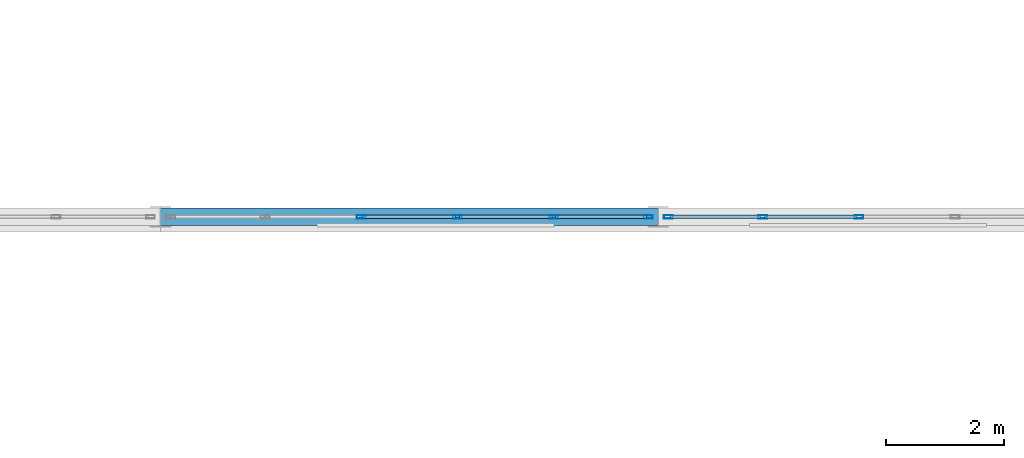
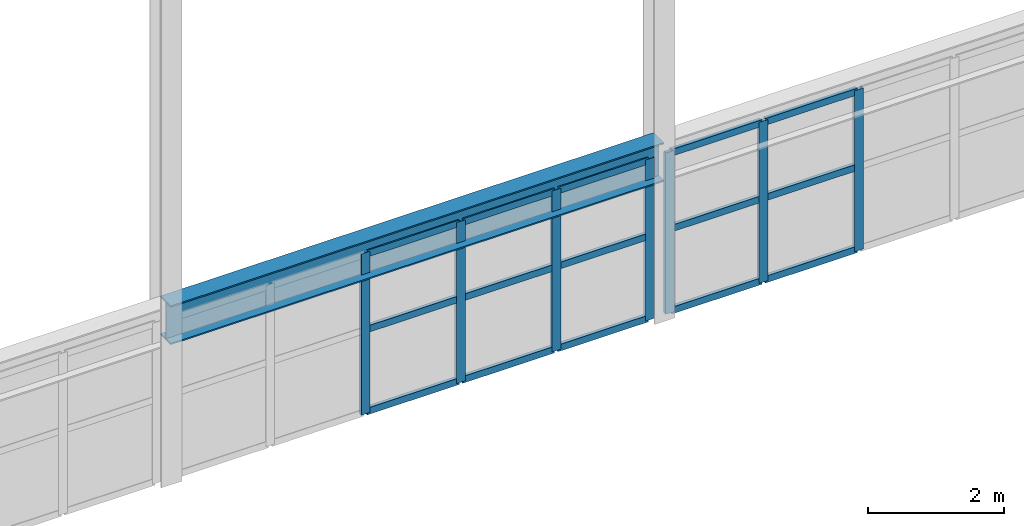
# One storey, part 78 of 218: 22 members, 1 beam, 2 elements without a shape of their own.
"""IFC4 building model written with IfcOpenShell, lengths in metres."""

import ifcopenshell
import ifcopenshell.guid

model = None  # the IFC model being written
_history = None  # IfcOwnerHistory: only IFC2X3 demands one
_inside = {}  # id of a spatial element -> (the spatial element, [elements in it])
_under = {}  # id of a project, library or spatial element -> (it, [spatial elements below it])
_declared = {}  # id of a project -> (the project, [libraries it declares])
_typed = {}  # id of a type object -> (the type object, [elements of that type])
_made_of = {}  # id of a material, layer set ... -> (it, [elements and type objects made of it])


def new_model(schema):
    """Start an empty IFC model of exactly this schema.

    Asked for "IFC4X3", IfcOpenShell would pick the latest addendum, in which some entities
    have other attributes; the version numbers below select the first issue.
    IFC2X3 requires an IfcOwnerHistory on every rooted entity: one is made here for all.
    """
    global model, _history
    if schema == "IFC4X3":
        model = ifcopenshell.file(schema_version=(4, 3, 0, 0))
    else:
        model = ifcopenshell.file(schema=schema)
    _inside.clear()
    _under.clear()
    _declared.clear()
    _typed.clear()
    _made_of.clear()
    _history = None
    if model.schema == "IFC2X3":
        org = make("IfcOrganization", Name="unknown")
        user = make(
            "IfcPersonAndOrganization",
            ThePerson=make("IfcPerson", FamilyName="unknown"),
            TheOrganization=org,
        )
        app = make(
            "IfcApplication",
            ApplicationDeveloper=org,
            Version="unknown",
            ApplicationFullName="unknown",
            ApplicationIdentifier="unknown",
        )
        _history = make(
            "IfcOwnerHistory",
            OwningUser=user,
            OwningApplication=app,
            ChangeAction="ADDED",
            CreationDate=0,
        )
    return model


def make(cls, **values):
    """One entity of the class cls with the attributes given. An attribute that is None is left unset."""
    return model.create_entity(
        cls, **{name: value for name, value in values.items() if value is not None}
    )


def rooted(cls, **values):
    """An entity with a GlobalId (a new one), such as an element, a storey or a relation."""
    return make(cls, GlobalId=ifcopenshell.guid.new(), OwnerHistory=_history, **values)


def si_unit(unit_type, name, prefix=None):
    """IfcSIUnit, for example si_unit("LENGTHUNIT", "METRE", prefix="MILLI")."""
    return make("IfcSIUnit", UnitType=unit_type, Prefix=prefix, Name=name)


def assignment(units):
    """IfcUnitAssignment: the units of a project."""
    return None if units is None else make("IfcUnitAssignment", Units=units)


def point(xyz):
    """IfcCartesianPoint."""
    return None if xyz is None else make("IfcCartesianPoint", Coordinates=xyz)


def direction(xyz):
    """IfcDirection."""
    return None if xyz is None else make("IfcDirection", DirectionRatios=xyz)


def frame(location, z_axis=None, x_axis=None):
    """IfcAxis2Placement3D, a coordinate frame: its origin and axes. An axis left out is left unset."""
    return make(
        "IfcAxis2Placement3D",
        Location=point(location),
        Axis=direction(z_axis),
        RefDirection=direction(x_axis),
    )


def frame_2d(location, x_axis=None):
    """IfcAxis2Placement2D, a coordinate frame in the plane: its origin and x axis."""
    return make(
        "IfcAxis2Placement2D", Location=point(location), RefDirection=direction(x_axis)
    )


def origin():
    """The frame at (0, 0, 0) with its axes left unset."""
    return frame((0.0, 0.0, 0.0))


def origin_2d():
    """The frame at (0, 0) in the plane with its x axis left unset."""
    return frame_2d((0.0, 0.0))


def place(relative_to, where):
    """IfcLocalPlacement: puts the frame where relative to a parent placement (None: the world)."""
    return make(
        "IfcLocalPlacement", PlacementRelTo=relative_to, RelativePlacement=where
    )


def context(
    kind, dimensions, precision=None, world=None, true_north=None, identifier=None
):
    """IfcGeometricRepresentationContext, for example the 3D "Model" context."""
    return make(
        "IfcGeometricRepresentationContext",
        ContextIdentifier=identifier,
        ContextType=kind,
        CoordinateSpaceDimension=dimensions,
        Precision=precision,
        WorldCoordinateSystem=world,
        TrueNorth=true_north,
    )


def subcontext(parent, identifier, kind, view, scale=None):
    """IfcGeometricRepresentationSubContext, for example "Body" below "Model"."""
    return make(
        "IfcGeometricRepresentationSubContext",
        ContextIdentifier=identifier,
        ContextType=kind,
        ParentContext=parent,
        TargetScale=scale,
        TargetView=view,
    )


def project(units=None, contexts=None):
    """IfcProject with its units and contexts."""
    return rooted(
        "IfcProject",
        Name="project",
        RepresentationContexts=contexts,
        UnitsInContext=assignment(units),
    )


def spatial(cls, under=None, at=None, **own):
    """A site, building, storey or space (cls), placed at a placement, below another one or the project."""
    s = rooted(cls, ObjectPlacement=at, **own)
    if under is not None:
        _under.setdefault(under.id(), (under, []))[1].append(s)
    return s


def profile(cls, at=None, kind="AREA", **sizes):
    """A parametric profile (cls). Its sizes go by their IFC names, for example OverallWidth=200.0."""
    return make(cls, ProfileType=kind, Position=at, **sizes)


def hollow_rectangle(**sizes):
    """IfcRectangleHollowProfileDef."""
    return profile("IfcRectangleHollowProfileDef", **sizes)


def i_section(**sizes):
    """IfcIShapeProfileDef."""
    return profile("IfcIShapeProfileDef", **sizes)


def extrude(swept, where, along, depth):
    """IfcExtrudedAreaSolid: the profile swept, set in the frame where, extruded along a direction by depth."""
    return make(
        "IfcExtrudedAreaSolid",
        SweptArea=swept,
        Position=where,
        ExtrudedDirection=direction(along),
        Depth=depth,
    )


def shape(context_of_items, identifier, shape_type, items):
    """IfcShapeRepresentation: the items that make up one representation, for example the "Body"."""
    return make(
        "IfcShapeRepresentation",
        ContextOfItems=context_of_items,
        RepresentationIdentifier=identifier,
        RepresentationType=shape_type,
        Items=items,
    )


def material(Name=None, Category=None):
    """IfcMaterial."""
    return make("IfcMaterial", Name=Name, Category=Category)


def material_profile(
    of_material, cross_section, Name=None, Category=None, Priority=None
):
    """IfcMaterialProfile: a cross section and its material."""
    return make(
        "IfcMaterialProfile",
        Name=Name,
        Material=of_material,
        Profile=cross_section,
        Priority=Priority,
        Category=Category,
    )


def profile_set(profiles, Name=None, composite=None):
    """IfcMaterialProfileSet."""
    return make(
        "IfcMaterialProfileSet",
        Name=Name,
        MaterialProfiles=profiles,
        CompositeProfile=composite,
    )


def made_of(thing, what):
    """Note that an element or type object is made of a material, layer set ...; save() writes the relation."""
    if what is not None:
        _made_of.setdefault(what.id(), (what, []))[1].append(thing)
    return thing


def type_object(cls, material=None, **own):
    """A type object (cls), such as IfcWallType, which elements share."""
    return made_of(rooted(cls, **own), material)


def element(
    cls,
    number,
    at=None,
    inside=None,
    cuts=None,
    type_object=None,
    material=None,
    context=None,
    identifier="Body",
    shape_type=None,
    held_by="IfcProductDefinitionShape",
    body=None,
    shapes=None,
    **own,
):
    """One element of the class cls, such as IfcWall. Its Tag is "e" and its number.

    at: its placement. inside: the storey or other place that contains it. cuts: it is an
    opening in that element (IfcRelVoidsElement). A single representation is given by context,
    identifier, shape_type and body (its items); several are given by shapes. held_by: the class
    of the entity that holds the representations. save() writes the other relations.
    """
    e = rooted(cls, Tag="e%d" % number, ObjectPlacement=at, **own)
    if body is not None:
        shapes = [shape(context, identifier, shape_type, body)]
    if shapes is not None:
        e.Representation = make(held_by, Representations=shapes)
    if inside is not None:
        _inside.setdefault(inside.id(), (inside, []))[1].append(e)
    if cuts is not None:
        rooted(
            "IfcRelVoidsElement", RelatingBuildingElement=cuts, RelatedOpeningElement=e
        )
    if type_object is not None:
        _typed.setdefault(type_object.id(), (type_object, []))[1].append(e)
    return made_of(e, material)


def aggregate(whole, parts):
    """IfcRelAggregates: a whole, such as a stair, and the parts it consists of."""
    return rooted("IfcRelAggregates", RelatingObject=whole, RelatedObjects=parts)


def save(model, path):
    """Write the relations noted so far, then the file.

    IfcRelAggregates (storeys below a building ...), IfcRelContainedInSpatialStructure (elements
    in a storey), IfcRelDefinesByType, IfcRelAssociatesMaterial and IfcRelDeclares: one each for
    every whole, place, type object, material and project.
    """
    for whole, parts in _under.values():
        aggregate(whole, parts)
    for where, things in _inside.values():
        rooted(
            "IfcRelContainedInSpatialStructure",
            RelatedElements=things,
            RelatingStructure=where,
        )
    for kind, things in _typed.values():
        rooted("IfcRelDefinesByType", RelatedObjects=things, RelatingType=kind)
    for what, things in _made_of.values():
        rooted("IfcRelAssociatesMaterial", RelatedObjects=things, RelatingMaterial=what)
    for by, libraries in _declared.values():
        rooted("IfcRelDeclares", RelatingContext=by, RelatedDefinitions=libraries)
    model.write(path)


model = new_model("IFC4")

# Units and contexts
model_context = context("Model", 3, precision=1e-05, world=origin(), true_north=direction((0.0, 1.0)))
body_context = subcontext(model_context, "Body", "Model", "MODEL_VIEW")
ifc_project = project(units=[si_unit("LENGTHUNIT", "METRE"), si_unit("AREAUNIT", "SQUARE_METRE"), si_unit("VOLUMEUNIT", "CUBIC_METRE"), si_unit("PLANEANGLEUNIT", "RADIAN"), si_unit("MASSUNIT", "GRAM", prefix="KILO")], contexts=[model_context])

# Site, building, storey
site_placement = place(None, origin())
site = spatial("IfcSite", under=ifc_project, at=site_placement, CompositionType="ELEMENT")
building_placement = place(site_placement, origin())
building = spatial("IfcBuilding", under=site, at=building_placement, Name="Kazenagashi Tramway Depot", CompositionType="ELEMENT")
storey_placement = place(building_placement, frame((0.0, 0.0, 6.0)))
storey = spatial("IfcBuildingStorey", under=building, at=storey_placement, Name="L02", CompositionType="ELEMENT", Elevation=6.0)

# Beam
ifc_material_1 = material(Name="Steel SN490B", Category="steel")
ifc_material_profile_1 = material_profile(ifc_material_1, i_section(OverallWidth=0.3, OverallDepth=0.7, WebThickness=0.013, FlangeThickness=0.024, at=origin_2d()), Name="H-700x300x13x24")
ifc_profile_set_1 = profile_set([ifc_material_profile_1], Name="Steel SN490B")
beam_type = type_object("IfcBeamType", Name="G-02", PredefinedType="BEAM", material=ifc_profile_set_1)
beam_placement = place(storey_placement, frame((61.6, 54.9, 2.85), z_axis=(1.0, 0.0, 0.0), x_axis=(0.0, 1.0, 0.0)))
element("IfcBeam", 1, at=beam_placement, inside=storey, type_object=beam_type, Name="Beam G-02 BM-1175", PredefinedType="BEAM", context=body_context, shape_type="SweptSolid", body=[
    extrude(i_section(OverallWidth=0.3, OverallDepth=0.7, WebThickness=0.013, FlangeThickness=0.024, at=origin_2d()), origin(), (0.0, 0.0, 1.0), 8.4),
])

# Curtain wall, members
ifc_material_2 = material(Name="Anodised Aluminium and Low-E Glazing", Category="aluminium")
curtain_wall_type = type_object("IfcCurtainWallType", Name="CW-21", PredefinedType="USERDEFINED", material=ifc_material_2)
curtain_wall_1_placement = place(storey_placement, origin())
curtain_wall_1 = element("IfcCurtainWall", 2, at=curtain_wall_1_placement, inside=storey, type_object=curtain_wall_type, Name="Industrial Glazed Screen CW-21 CW-0109", ObjectType="GLAZED SCREEN", PredefinedType="USERDEFINED")
ifc_material_3 = material(Name="Anodised Aluminium", Category="aluminium")
ifc_material_profile_2 = material_profile(ifc_material_3, hollow_rectangle(XDim=0.06, YDim=0.15, WallThickness=0.004, at=origin_2d()), Name="RHS-150x60x4")
ifc_profile_set_2 = profile_set([ifc_material_profile_2], Name="Anodised Aluminium")
member_type_1 = type_object("IfcMemberType", Name="ML-01", PredefinedType="MULLION", material=ifc_profile_set_2)
member_1_placement = place(storey_placement, frame((64.988, 54.9, 0.0), z_axis=(0.0, 0.0, 1.0), x_axis=(0.0, 1.0, 0.0)))
member_1 = element("IfcMember", 3, at=member_1_placement, type_object=member_type_1, Name="CW-21 mullion 3", PredefinedType="MULLION", context=body_context, shape_type="SweptSolid", body=[
    extrude(hollow_rectangle(XDim=0.06, YDim=0.15, WallThickness=0.004, at=origin_2d()), origin(), (0.0, 0.0, 1.0), 2.9),
])
member_2_placement = place(storey_placement, frame((66.612, 54.9, 0.0), z_axis=(0.0, 0.0, 1.0), x_axis=(0.0, 1.0, 0.0)))
member_2 = element("IfcMember", 4, at=member_2_placement, type_object=member_type_1, Name="CW-21 mullion 4", PredefinedType="MULLION", context=body_context, shape_type="SweptSolid", body=[
    extrude(hollow_rectangle(XDim=0.06, YDim=0.15, WallThickness=0.004, at=origin_2d()), origin(), (0.0, 0.0, 1.0), 2.9),
])
member_3_placement = place(storey_placement, frame((68.236, 54.9, 0.0), z_axis=(0.0, 0.0, 1.0), x_axis=(0.0, 1.0, 0.0)))
member_3 = element("IfcMember", 5, at=member_3_placement, type_object=member_type_1, Name="CW-21 mullion 5", PredefinedType="MULLION", context=body_context, shape_type="SweptSolid", body=[
    extrude(hollow_rectangle(XDim=0.06, YDim=0.15, WallThickness=0.004, at=origin_2d()), origin(), (0.0, 0.0, 1.0), 2.9),
])
member_4_placement = place(storey_placement, frame((69.83, 54.9, 0.0), z_axis=(0.0, 0.0, 1.0), x_axis=(0.0, 1.0, 0.0)))
member_4 = element("IfcMember", 6, at=member_4_placement, type_object=member_type_1, Name="CW-21 mullion 6", PredefinedType="MULLION", context=body_context, shape_type="SweptSolid", body=[
    extrude(hollow_rectangle(XDim=0.06, YDim=0.15, WallThickness=0.004, at=origin_2d()), origin(), (0.0, 0.0, 1.0), 2.9),
])

curtain_wall_2_placement = place(storey_placement, origin())
curtain_wall_2 = element("IfcCurtainWall", 7, at=curtain_wall_2_placement, inside=storey, type_object=curtain_wall_type, Name="Industrial Glazed Screen CW-21 CW-0110", ObjectType="GLAZED SCREEN", PredefinedType="USERDEFINED")
member_5_placement = place(storey_placement, frame((70.17, 54.9, 0.0), z_axis=(0.0, 0.0, 1.0), x_axis=(0.0, 1.0, 0.0)))
member_5 = element("IfcMember", 8, at=member_5_placement, type_object=member_type_1, Name="CW-21 mullion 1", PredefinedType="MULLION", context=body_context, shape_type="SweptSolid", body=[
    extrude(hollow_rectangle(XDim=0.06, YDim=0.15, WallThickness=0.004, at=origin_2d()), origin(), (0.0, 0.0, 1.0), 2.9),
])
member_6_placement = place(storey_placement, frame((71.764, 54.9, 0.0), z_axis=(0.0, 0.0, 1.0), x_axis=(0.0, 1.0, 0.0)))
member_6 = element("IfcMember", 9, at=member_6_placement, type_object=member_type_1, Name="CW-21 mullion 2", PredefinedType="MULLION", context=body_context, shape_type="SweptSolid", body=[
    extrude(hollow_rectangle(XDim=0.06, YDim=0.15, WallThickness=0.004, at=origin_2d()), origin(), (0.0, 0.0, 1.0), 2.9),
])
member_7_placement = place(storey_placement, frame((73.388, 54.9, 0.0), z_axis=(0.0, 0.0, 1.0), x_axis=(0.0, 1.0, 0.0)))
member_7 = element("IfcMember", 10, at=member_7_placement, type_object=member_type_1, Name="CW-21 mullion 3", PredefinedType="MULLION", context=body_context, shape_type="SweptSolid", body=[
    extrude(hollow_rectangle(XDim=0.06, YDim=0.15, WallThickness=0.004, at=origin_2d()), origin(), (0.0, 0.0, 1.0), 2.9),
])

# Member
ifc_material_profile_3 = material_profile(ifc_material_3, hollow_rectangle(XDim=0.06, YDim=0.12, WallThickness=0.004, at=origin_2d()), Name="RHS-120x60x4")
ifc_profile_set_3 = profile_set([ifc_material_profile_3], Name="Anodised Aluminium")
member_type_2 = type_object("IfcMemberType", Name="TR-01", PredefinedType="USERDEFINED", material=ifc_profile_set_3)
member_8_placement = place(storey_placement, frame((65.018, 54.9, 0.03), z_axis=(1.0, 0.0, 0.0), x_axis=(0.0, 1.0, 0.0)))
member_8 = element("IfcMember", 11, at=member_8_placement, type_object=member_type_2, Name="CW-21 transom 3.1", ObjectType="TRANSOM", PredefinedType="USERDEFINED", context=body_context, shape_type="SweptSolid", body=[
    extrude(hollow_rectangle(XDim=0.06, YDim=0.12, WallThickness=0.004, at=origin_2d()), origin(), (0.0, 0.0, 1.0), 1.564),
])

member_9_placement = place(storey_placement, frame((65.018, 54.9, 1.508), z_axis=(1.0, 0.0, 0.0), x_axis=(0.0, 1.0, 0.0)))
member_9 = element("IfcMember", 12, at=member_9_placement, type_object=member_type_2, Name="CW-21 transom 3.2", ObjectType="TRANSOM", PredefinedType="USERDEFINED", context=body_context, shape_type="SweptSolid", body=[
    extrude(hollow_rectangle(XDim=0.06, YDim=0.12, WallThickness=0.004, at=origin_2d()), origin(), (0.0, 0.0, 1.0), 1.564),
])

member_10_placement = place(storey_placement, frame((65.018, 54.9, 2.87), z_axis=(1.0, 0.0, 0.0), x_axis=(0.0, 1.0, 0.0)))
member_10 = element("IfcMember", 13, at=member_10_placement, type_object=member_type_2, Name="CW-21 transom 3.3", ObjectType="TRANSOM", PredefinedType="USERDEFINED", context=body_context, shape_type="SweptSolid", body=[
    extrude(hollow_rectangle(XDim=0.06, YDim=0.12, WallThickness=0.004, at=origin_2d()), origin(), (0.0, 0.0, 1.0), 1.564),
])

member_11_placement = place(storey_placement, frame((66.642, 54.9, 0.03), z_axis=(1.0, 0.0, 0.0), x_axis=(0.0, 1.0, 0.0)))
member_11 = element("IfcMember", 14, at=member_11_placement, type_object=member_type_2, Name="CW-21 transom 4.1", ObjectType="TRANSOM", PredefinedType="USERDEFINED", context=body_context, shape_type="SweptSolid", body=[
    extrude(hollow_rectangle(XDim=0.06, YDim=0.12, WallThickness=0.004, at=origin_2d()), origin(), (0.0, 0.0, 1.0), 1.564),
])

member_12_placement = place(storey_placement, frame((66.642, 54.9, 1.508), z_axis=(1.0, 0.0, 0.0), x_axis=(0.0, 1.0, 0.0)))
member_12 = element("IfcMember", 15, at=member_12_placement, type_object=member_type_2, Name="CW-21 transom 4.2", ObjectType="TRANSOM", PredefinedType="USERDEFINED", context=body_context, shape_type="SweptSolid", body=[
    extrude(hollow_rectangle(XDim=0.06, YDim=0.12, WallThickness=0.004, at=origin_2d()), origin(), (0.0, 0.0, 1.0), 1.564),
])

member_13_placement = place(storey_placement, frame((66.642, 54.9, 2.87), z_axis=(1.0, 0.0, 0.0), x_axis=(0.0, 1.0, 0.0)))
member_13 = element("IfcMember", 16, at=member_13_placement, type_object=member_type_2, Name="CW-21 transom 4.3", ObjectType="TRANSOM", PredefinedType="USERDEFINED", context=body_context, shape_type="SweptSolid", body=[
    extrude(hollow_rectangle(XDim=0.06, YDim=0.12, WallThickness=0.004, at=origin_2d()), origin(), (0.0, 0.0, 1.0), 1.564),
])

member_14_placement = place(storey_placement, frame((68.266, 54.9, 0.03), z_axis=(1.0, 0.0, 0.0), x_axis=(0.0, 1.0, 0.0)))
member_14 = element("IfcMember", 17, at=member_14_placement, type_object=member_type_2, Name="CW-21 transom 5.1", ObjectType="TRANSOM", PredefinedType="USERDEFINED", context=body_context, shape_type="SweptSolid", body=[
    extrude(hollow_rectangle(XDim=0.06, YDim=0.12, WallThickness=0.004, at=origin_2d()), origin(), (0.0, 0.0, 1.0), 1.534),
])

member_15_placement = place(storey_placement, frame((68.266, 54.9, 1.508), z_axis=(1.0, 0.0, 0.0), x_axis=(0.0, 1.0, 0.0)))
member_15 = element("IfcMember", 18, at=member_15_placement, type_object=member_type_2, Name="CW-21 transom 5.2", ObjectType="TRANSOM", PredefinedType="USERDEFINED", context=body_context, shape_type="SweptSolid", body=[
    extrude(hollow_rectangle(XDim=0.06, YDim=0.12, WallThickness=0.004, at=origin_2d()), origin(), (0.0, 0.0, 1.0), 1.534),
])

member_16_placement = place(storey_placement, frame((68.266, 54.9, 2.87), z_axis=(1.0, 0.0, 0.0), x_axis=(0.0, 1.0, 0.0)))
member_16 = element("IfcMember", 19, at=member_16_placement, type_object=member_type_2, Name="CW-21 transom 5.3", ObjectType="TRANSOM", PredefinedType="USERDEFINED", context=body_context, shape_type="SweptSolid", body=[
    extrude(hollow_rectangle(XDim=0.06, YDim=0.12, WallThickness=0.004, at=origin_2d()), origin(), (0.0, 0.0, 1.0), 1.534),
])

aggregate(curtain_wall_1, [member_1, member_2, member_3, member_4, member_8, member_9, member_10, member_11, member_12, member_13, member_14, member_15, member_16])

member_17_placement = place(storey_placement, frame((70.2, 54.9, 0.03), z_axis=(1.0, 0.0, 0.0), x_axis=(0.0, 1.0, 0.0)))
member_17 = element("IfcMember", 20, at=member_17_placement, type_object=member_type_2, Name="CW-21 transom 1.1", ObjectType="TRANSOM", PredefinedType="USERDEFINED", context=body_context, shape_type="SweptSolid", body=[
    extrude(hollow_rectangle(XDim=0.06, YDim=0.12, WallThickness=0.004, at=origin_2d()), origin(), (0.0, 0.0, 1.0), 1.534),
])

member_18_placement = place(storey_placement, frame((70.2, 54.9, 1.508), z_axis=(1.0, 0.0, 0.0), x_axis=(0.0, 1.0, 0.0)))
member_18 = element("IfcMember", 21, at=member_18_placement, type_object=member_type_2, Name="CW-21 transom 1.2", ObjectType="TRANSOM", PredefinedType="USERDEFINED", context=body_context, shape_type="SweptSolid", body=[
    extrude(hollow_rectangle(XDim=0.06, YDim=0.12, WallThickness=0.004, at=origin_2d()), origin(), (0.0, 0.0, 1.0), 1.534),
])

member_19_placement = place(storey_placement, frame((70.2, 54.9, 2.87), z_axis=(1.0, 0.0, 0.0), x_axis=(0.0, 1.0, 0.0)))
member_19 = element("IfcMember", 22, at=member_19_placement, type_object=member_type_2, Name="CW-21 transom 1.3", ObjectType="TRANSOM", PredefinedType="USERDEFINED", context=body_context, shape_type="SweptSolid", body=[
    extrude(hollow_rectangle(XDim=0.06, YDim=0.12, WallThickness=0.004, at=origin_2d()), origin(), (0.0, 0.0, 1.0), 1.534),
])

member_20_placement = place(storey_placement, frame((71.794, 54.9, 0.03), z_axis=(1.0, 0.0, 0.0), x_axis=(0.0, 1.0, 0.0)))
member_20 = element("IfcMember", 23, at=member_20_placement, type_object=member_type_2, Name="CW-21 transom 2.1", ObjectType="TRANSOM", PredefinedType="USERDEFINED", context=body_context, shape_type="SweptSolid", body=[
    extrude(hollow_rectangle(XDim=0.06, YDim=0.12, WallThickness=0.004, at=origin_2d()), origin(), (0.0, 0.0, 1.0), 1.564),
])

member_21_placement = place(storey_placement, frame((71.794, 54.9, 1.508), z_axis=(1.0, 0.0, 0.0), x_axis=(0.0, 1.0, 0.0)))
member_21 = element("IfcMember", 24, at=member_21_placement, type_object=member_type_2, Name="CW-21 transom 2.2", ObjectType="TRANSOM", PredefinedType="USERDEFINED", context=body_context, shape_type="SweptSolid", body=[
    extrude(hollow_rectangle(XDim=0.06, YDim=0.12, WallThickness=0.004, at=origin_2d()), origin(), (0.0, 0.0, 1.0), 1.564),
])

member_22_placement = place(storey_placement, frame((71.794, 54.9, 2.87), z_axis=(1.0, 0.0, 0.0), x_axis=(0.0, 1.0, 0.0)))
member_22 = element("IfcMember", 25, at=member_22_placement, type_object=member_type_2, Name="CW-21 transom 2.3", ObjectType="TRANSOM", PredefinedType="USERDEFINED", context=body_context, shape_type="SweptSolid", body=[
    extrude(hollow_rectangle(XDim=0.06, YDim=0.12, WallThickness=0.004, at=origin_2d()), origin(), (0.0, 0.0, 1.0), 1.564),
])

aggregate(curtain_wall_2, [member_5, member_6, member_7, member_17, member_18, member_19, member_20, member_21, member_22])

save(model, "model.ifc")
